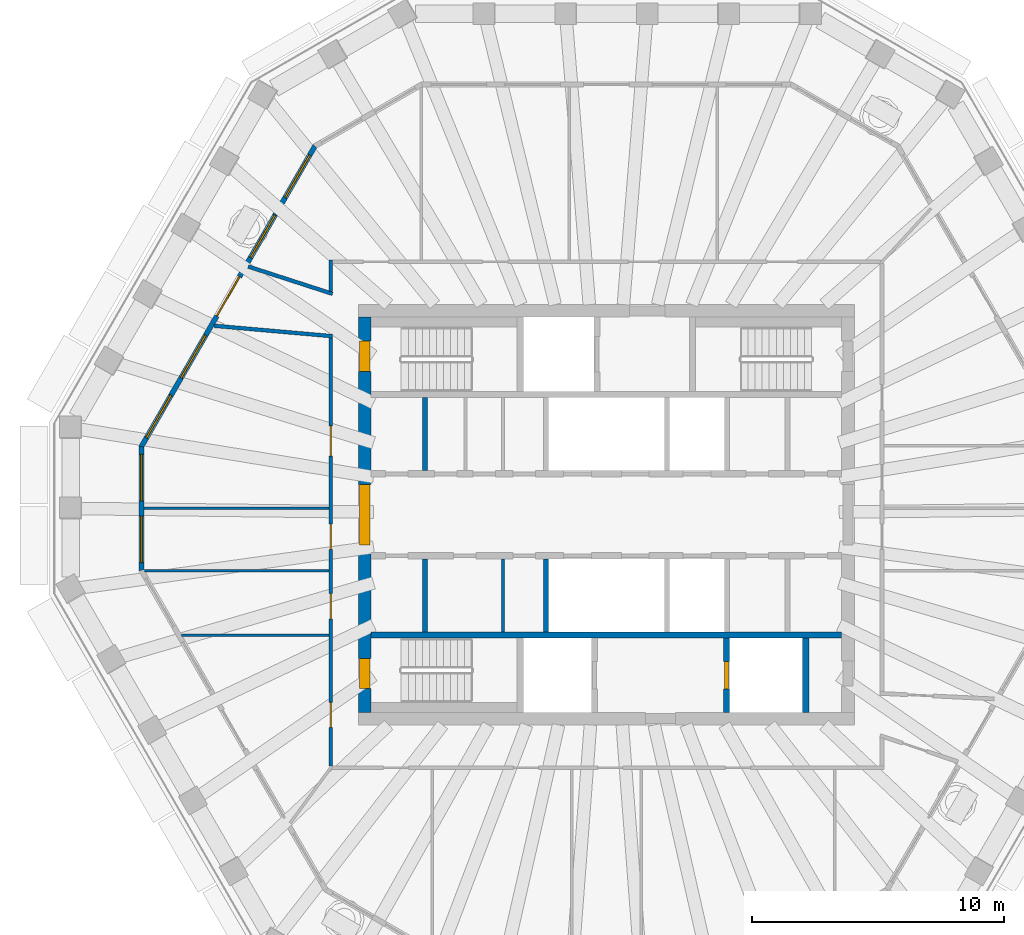
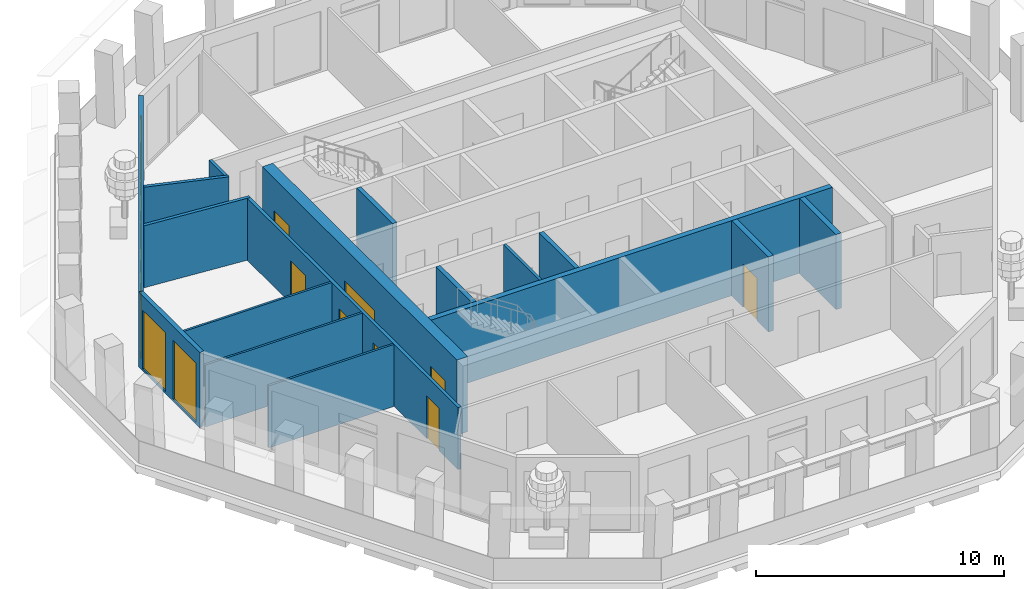
# One storey, part 4 of 11: 17 walls, 9 doors, 7 windows, 16 openings.
"""IFC4 building model written with IfcOpenShell, lengths in metres."""

import ifcopenshell
import ifcopenshell.guid

model = None  # the IFC model being written
_history = None  # IfcOwnerHistory: only IFC2X3 demands one
_inside = {}  # id of a spatial element -> (the spatial element, [elements in it])
_under = {}  # id of a project, library or spatial element -> (it, [spatial elements below it])
_declared = {}  # id of a project -> (the project, [libraries it declares])
_typed = {}  # id of a type object -> (the type object, [elements of that type])
_made_of = {}  # id of a material, layer set ... -> (it, [elements and type objects made of it])


def new_model(schema):
    """Start an empty IFC model of exactly this schema.

    Asked for "IFC4X3", IfcOpenShell would pick the latest addendum, in which some entities
    have other attributes; the version numbers below select the first issue.
    IFC2X3 requires an IfcOwnerHistory on every rooted entity: one is made here for all.
    """
    global model, _history
    if schema == "IFC4X3":
        model = ifcopenshell.file(schema_version=(4, 3, 0, 0))
    else:
        model = ifcopenshell.file(schema=schema)
    _inside.clear()
    _under.clear()
    _declared.clear()
    _typed.clear()
    _made_of.clear()
    _history = None
    if model.schema == "IFC2X3":
        org = make("IfcOrganization", Name="unknown")
        user = make(
            "IfcPersonAndOrganization",
            ThePerson=make("IfcPerson", FamilyName="unknown"),
            TheOrganization=org,
        )
        app = make(
            "IfcApplication",
            ApplicationDeveloper=org,
            Version="unknown",
            ApplicationFullName="unknown",
            ApplicationIdentifier="unknown",
        )
        _history = make(
            "IfcOwnerHistory",
            OwningUser=user,
            OwningApplication=app,
            ChangeAction="ADDED",
            CreationDate=0,
        )
    return model


def make(cls, **values):
    """One entity of the class cls with the attributes given. An attribute that is None is left unset."""
    return model.create_entity(
        cls, **{name: value for name, value in values.items() if value is not None}
    )


def rooted(cls, **values):
    """An entity with a GlobalId (a new one), such as an element, a storey or a relation."""
    return make(cls, GlobalId=ifcopenshell.guid.new(), OwnerHistory=_history, **values)


def si_unit(unit_type, name, prefix=None):
    """IfcSIUnit, for example si_unit("LENGTHUNIT", "METRE", prefix="MILLI")."""
    return make("IfcSIUnit", UnitType=unit_type, Prefix=prefix, Name=name)


def assignment(units):
    """IfcUnitAssignment: the units of a project."""
    return None if units is None else make("IfcUnitAssignment", Units=units)


def point(xyz):
    """IfcCartesianPoint."""
    return None if xyz is None else make("IfcCartesianPoint", Coordinates=xyz)


def direction(xyz):
    """IfcDirection."""
    return None if xyz is None else make("IfcDirection", DirectionRatios=xyz)


def frame(location, z_axis=None, x_axis=None):
    """IfcAxis2Placement3D, a coordinate frame: its origin and axes. An axis left out is left unset."""
    return make(
        "IfcAxis2Placement3D",
        Location=point(location),
        Axis=direction(z_axis),
        RefDirection=direction(x_axis),
    )


def frame_2d(location, x_axis=None):
    """IfcAxis2Placement2D, a coordinate frame in the plane: its origin and x axis."""
    return make(
        "IfcAxis2Placement2D", Location=point(location), RefDirection=direction(x_axis)
    )


def origin():
    """The frame at (0, 0, 0) with its axes left unset."""
    return frame((0.0, 0.0, 0.0))


def place(relative_to, where):
    """IfcLocalPlacement: puts the frame where relative to a parent placement (None: the world)."""
    return make(
        "IfcLocalPlacement", PlacementRelTo=relative_to, RelativePlacement=where
    )


def context(
    kind, dimensions, precision=None, world=None, true_north=None, identifier=None
):
    """IfcGeometricRepresentationContext, for example the 3D "Model" context."""
    return make(
        "IfcGeometricRepresentationContext",
        ContextIdentifier=identifier,
        ContextType=kind,
        CoordinateSpaceDimension=dimensions,
        Precision=precision,
        WorldCoordinateSystem=world,
        TrueNorth=true_north,
    )


def subcontext(parent, identifier, kind, view, scale=None):
    """IfcGeometricRepresentationSubContext, for example "Body" below "Model"."""
    return make(
        "IfcGeometricRepresentationSubContext",
        ContextIdentifier=identifier,
        ContextType=kind,
        ParentContext=parent,
        TargetScale=scale,
        TargetView=view,
    )


def project(units=None, contexts=None):
    """IfcProject with its units and contexts."""
    return rooted(
        "IfcProject",
        Name="project",
        RepresentationContexts=contexts,
        UnitsInContext=assignment(units),
    )


def spatial(cls, under=None, at=None, **own):
    """A site, building, storey or space (cls), placed at a placement, below another one or the project."""
    s = rooted(cls, ObjectPlacement=at, **own)
    if under is not None:
        _under.setdefault(under.id(), (under, []))[1].append(s)
    return s


def polyline(points):
    """IfcPolyline through the points."""
    return make("IfcPolyline", Points=[point(p) for p in points])


def profile(cls, at=None, kind="AREA", **sizes):
    """A parametric profile (cls). Its sizes go by their IFC names, for example OverallWidth=200.0."""
    return make(cls, ProfileType=kind, Position=at, **sizes)


def rectangle(**sizes):
    """IfcRectangleProfileDef."""
    return profile("IfcRectangleProfileDef", **sizes)


def outline(outer, holes=None, kind="AREA"):
    """IfcArbitraryClosedProfileDef: a profile drawn as a closed curve; with holes, ...WithVoids."""
    if holes is None:
        return make("IfcArbitraryClosedProfileDef", ProfileType=kind, OuterCurve=outer)
    return make(
        "IfcArbitraryProfileDefWithVoids",
        ProfileType=kind,
        OuterCurve=outer,
        InnerCurves=holes,
    )


def extrude(swept, where, along, depth):
    """IfcExtrudedAreaSolid: the profile swept, set in the frame where, extruded along a direction by depth."""
    return make(
        "IfcExtrudedAreaSolid",
        SweptArea=swept,
        Position=where,
        ExtrudedDirection=direction(along),
        Depth=depth,
    )


def shape(context_of_items, identifier, shape_type, items):
    """IfcShapeRepresentation: the items that make up one representation, for example the "Body"."""
    return make(
        "IfcShapeRepresentation",
        ContextOfItems=context_of_items,
        RepresentationIdentifier=identifier,
        RepresentationType=shape_type,
        Items=items,
    )


def material(Name=None, Category=None):
    """IfcMaterial."""
    return make("IfcMaterial", Name=Name, Category=Category)


def layer(
    of_material, thickness, ventilated=None, Name=None, Category=None, Priority=None
):
    """IfcMaterialLayer: one layer of a wall or slab, of a material (None: an air gap)."""
    return make(
        "IfcMaterialLayer",
        Material=of_material,
        LayerThickness=thickness,
        IsVentilated=ventilated,
        Name=Name,
        Category=Category,
        Priority=Priority,
    )


def layer_set(layers, Name=None):
    """IfcMaterialLayerSet."""
    return make("IfcMaterialLayerSet", MaterialLayers=layers, LayerSetName=Name)


def made_of(thing, what):
    """Note that an element or type object is made of a material, layer set ...; save() writes the relation."""
    if what is not None:
        _made_of.setdefault(what.id(), (what, []))[1].append(thing)
    return thing


def type_object(cls, material=None, **own):
    """A type object (cls), such as IfcWallType, which elements share."""
    return made_of(rooted(cls, **own), material)


def element(
    cls,
    number,
    at=None,
    inside=None,
    cuts=None,
    type_object=None,
    material=None,
    context=None,
    identifier="Body",
    shape_type=None,
    held_by="IfcProductDefinitionShape",
    body=None,
    shapes=None,
    **own,
):
    """One element of the class cls, such as IfcWall. Its Tag is "e" and its number.

    at: its placement. inside: the storey or other place that contains it. cuts: it is an
    opening in that element (IfcRelVoidsElement). A single representation is given by context,
    identifier, shape_type and body (its items); several are given by shapes. held_by: the class
    of the entity that holds the representations. save() writes the other relations.
    """
    e = rooted(cls, Tag="e%d" % number, ObjectPlacement=at, **own)
    if body is not None:
        shapes = [shape(context, identifier, shape_type, body)]
    if shapes is not None:
        e.Representation = make(held_by, Representations=shapes)
    if inside is not None:
        _inside.setdefault(inside.id(), (inside, []))[1].append(e)
    if cuts is not None:
        rooted(
            "IfcRelVoidsElement", RelatingBuildingElement=cuts, RelatedOpeningElement=e
        )
    if type_object is not None:
        _typed.setdefault(type_object.id(), (type_object, []))[1].append(e)
    return made_of(e, material)


def fill(opening, filler):
    """IfcRelFillsElement: the door or window that sits in an opening."""
    return rooted(
        "IfcRelFillsElement",
        RelatingOpeningElement=opening,
        RelatedBuildingElement=filler,
    )


def aggregate(whole, parts):
    """IfcRelAggregates: a whole, such as a stair, and the parts it consists of."""
    return rooted("IfcRelAggregates", RelatingObject=whole, RelatedObjects=parts)


def save(model, path):
    """Write the relations noted so far, then the file.

    IfcRelAggregates (storeys below a building ...), IfcRelContainedInSpatialStructure (elements
    in a storey), IfcRelDefinesByType, IfcRelAssociatesMaterial and IfcRelDeclares: one each for
    every whole, place, type object, material and project.
    """
    for whole, parts in _under.values():
        aggregate(whole, parts)
    for where, things in _inside.values():
        rooted(
            "IfcRelContainedInSpatialStructure",
            RelatedElements=things,
            RelatingStructure=where,
        )
    for kind, things in _typed.values():
        rooted("IfcRelDefinesByType", RelatedObjects=things, RelatingType=kind)
    for what, things in _made_of.values():
        rooted("IfcRelAssociatesMaterial", RelatedObjects=things, RelatingMaterial=what)
    for by, libraries in _declared.values():
        rooted("IfcRelDeclares", RelatingContext=by, RelatedDefinitions=libraries)
    model.write(path)


model = new_model("IFC4")

# Units and contexts
model_context = context("Model", 3, precision=1e-05, world=origin(), true_north=direction((0.0, 1.0)))
body_context = subcontext(model_context, "Body", "Model", "MODEL_VIEW")
ifc_project = project(units=[si_unit("LENGTHUNIT", "METRE"), si_unit("AREAUNIT", "SQUARE_METRE"), si_unit("VOLUMEUNIT", "CUBIC_METRE"), si_unit("PLANEANGLEUNIT", "RADIAN"), si_unit("MASSUNIT", "GRAM", prefix="KILO")], contexts=[model_context])

# Site, building, storey
site_placement = place(None, origin())
site = spatial("IfcSite", under=ifc_project, at=site_placement, CompositionType="ELEMENT")
building_placement = place(site_placement, origin())
building = spatial("IfcBuilding", under=site, at=building_placement, Name="Frailejon Research Tower", CompositionType="ELEMENT")
storey_placement = place(building_placement, frame((0.0, 0.0, 316.60009765625)))
storey = spatial("IfcBuildingStorey", under=building, at=storey_placement, Name="L70", CompositionType="ELEMENT", Elevation=316.60009765625)

# Wall
ifc_material_1 = material(Name="Plasterboard on steel studs", Category="steel")
ifc_layer_1 = layer(ifc_material_1, 0.125)
ifc_layer_set_1 = layer_set([ifc_layer_1], Name="Core partition 125")
wall_type_1 = type_object("IfcWallType", Name="Core partition 125", PredefinedType="PARTITIONING", material=ifc_layer_set_1)
wall_1_placement = place(storey_placement, frame((-4.10009765625, -4.64990234375, 0.0), z_axis=(0.0, 0.0, 1.0), x_axis=(0.0, 1.0, 0.0)))
element("IfcWall", 1, at=wall_1_placement, inside=storey, type_object=wall_type_1, Name="Core partition", PredefinedType="PARTITIONING", context=body_context, shape_type="SweptSolid", body=[
    extrude(rectangle(XDim=2.89990234375, YDim=0.125, at=frame_2d((1.449951171875, 0.0))), origin(), (0.0, 0.0, 1.0), 3.699951171875),
])

# Wall, openings, doors
ifc_material_2 = material(Name="Concrete C50/60", Category="concrete")
ifc_layer_2 = layer(ifc_material_2, 0.5)
ifc_layer_set_2 = layer_set([ifc_layer_2], Name="Core shear wall 500 C50/60")
wall_type_2 = type_object("IfcWallType", Name="Core shear wall 500 C50/60", PredefinedType="SHEAR", material=ifc_layer_set_2)
wall_2_placement = place(storey_placement, frame((-9.60009765625, -7.85009765625, 0.0), z_axis=(0.0, 0.0, 1.0), x_axis=(0.0, 1.0, 0.0)))
wall_2 = element("IfcWall", 2, at=wall_2_placement, inside=storey, type_object=wall_type_2, Name="Core shear wall", PredefinedType="SHEAR", context=body_context, shape_type="SweptSolid", body=[
    extrude(rectangle(XDim=15.7001953125, YDim=0.5, at=frame_2d((7.85009765625, 0.0))), origin(), (0.0, 0.0, 1.0), 3.699951171875),
])
opening_1_placement = place(wall_2_placement, frame((6.64990234375, 0.0, 0.0)))
opening_1 = element("IfcOpeningElement", 3, at=opening_1_placement, cuts=wall_2, Name="Opening D2", PredefinedType="OPENING", context=body_context, shape_type="SweptSolid", body=[
    extrude(rectangle(XDim=2.39990234375, YDim=2.10009765625, at=frame_2d((1.199951171875, 1.050048828125))), frame((0.0, 0.260009765625, 0.0), z_axis=(0.0, -1.0, 0.0), x_axis=(1.0, 0.0, 0.0)), (0.0, 0.0, 1.0), 0.52001953125),
])
opening_2_placement = place(wall_2_placement, frame((13.550048828125, 0.0, 0.0)))
opening_2 = element("IfcOpeningElement", 4, at=opening_2_placement, cuts=wall_2, Name="Opening D1", PredefinedType="OPENING", context=body_context, shape_type="SweptSolid", body=[
    extrude(rectangle(XDim=1.199951171875, YDim=2.10009765625, at=frame_2d((0.60009765625, 1.050048828125))), frame((0.0, 0.260009765625, 0.0), z_axis=(0.0, -1.0, 0.0), x_axis=(1.0, 0.0, 0.0)), (0.0, 0.0, 1.0), 0.52001953125),
])
opening_3_placement = place(wall_2_placement, frame((0.949951171875, 0.0, 0.0)))
opening_3 = element("IfcOpeningElement", 5, at=opening_3_placement, cuts=wall_2, Name="Opening D1", PredefinedType="OPENING", context=body_context, shape_type="SweptSolid", body=[
    extrude(rectangle(XDim=1.199951171875, YDim=2.10009765625, at=frame_2d((0.60009765625, 1.050048828125))), frame((0.0, 0.260009765625, 0.0), z_axis=(0.0, -1.0, 0.0), x_axis=(1.0, 0.0, 0.0)), (0.0, 0.0, 1.0), 0.52001953125),
])
ifc_material_3 = material(Name="Steel", Category="steel")
door_type_1 = type_object("IfcDoorType", Name="Lobby double door", OperationType="DOUBLE_DOOR_SINGLE_SWING", PredefinedType="DOOR", material=ifc_material_3)
door_1_placement = place(opening_1_placement, origin())
door_1 = element("IfcDoor", 6, at=door_1_placement, inside=storey, type_object=door_type_1, Name="Lobby door", OperationType="DOUBLE_DOOR_SINGLE_SWING", OverallHeight=2.10009765625, OverallWidth=2.39990234375, PredefinedType="DOOR", context=body_context, shape_type="SweptSolid", body=[
    extrude(rectangle(XDim=2.39990234375, YDim=2.10009765625, at=frame_2d((1.199951171875, 1.050048828125))), frame((0.0, 0.199951171875, 0.0), z_axis=(0.0, -1.0, 0.0), x_axis=(1.0, 0.0, 0.0)), (0.0, 0.0, 1.0), 0.39990234375),
])
fill(opening_1, door_1)
ifc_material_4 = material(Name="Steel", Category="steel")
door_type_2 = type_object("IfcDoorType", Name="Stair door", OperationType="SINGLE_SWING_LEFT", PredefinedType="DOOR", material=ifc_material_4)
door_2_placement = place(opening_2_placement, origin())
door_2 = element("IfcDoor", 7, at=door_2_placement, inside=storey, type_object=door_type_2, Name="Stair door ST1", OperationType="SINGLE_SWING_LEFT", OverallHeight=2.10009765625, OverallWidth=1.199951171875, PredefinedType="DOOR", context=body_context, shape_type="SweptSolid", body=[
    extrude(rectangle(XDim=1.199951171875, YDim=2.10009765625, at=frame_2d((0.60009765625, 1.050048828125))), frame((0.0, 0.199951171875, 0.0), z_axis=(0.0, -1.0, 0.0), x_axis=(1.0, 0.0, 0.0)), (0.0, 0.0, 1.0), 0.39990234375),
])
fill(opening_2, door_2)
door_3_placement = place(opening_3_placement, origin())
door_3 = element("IfcDoor", 8, at=door_3_placement, inside=storey, type_object=door_type_2, Name="Stair door ST2", OperationType="SINGLE_SWING_RIGHT", OverallHeight=2.10009765625, OverallWidth=1.199951171875, PredefinedType="DOOR", context=body_context, shape_type="SweptSolid", body=[
    extrude(rectangle(XDim=1.199951171875, YDim=2.10009765625, at=frame_2d((0.60009765625, 1.050048828125))), frame((0.0, 0.199951171875, 0.0), z_axis=(0.0, -1.0, 0.0), x_axis=(1.0, 0.0, 0.0)), (0.0, 0.0, 1.0), 0.39990234375),
])
fill(opening_3, door_3)

ifc_material_5 = material(Name="Gypsum board and masonry partition", Category="masonry")
ifc_layer_3 = layer(ifc_material_5, 0.14990234375)
ifc_layer_set_3 = layer_set([ifc_layer_3], Name="Corridor wall EI 60, gypsum on steel studs 150")
wall_type_3 = type_object("IfcWallType", Name="Corridor wall EI 60, gypsum on steel studs 150", PredefinedType="PARTITIONING", material=ifc_layer_set_3)
wall_3_placement = place(storey_placement, frame((-10.949951171875, -9.97509765625, 0.0), z_axis=(0.0, 0.0, 1.0), x_axis=(0.0, 1.0, 0.0)))
wall_3 = element("IfcWall", 9, at=wall_3_placement, inside=storey, type_object=wall_type_3, Name="T:IW:L70:004", PredefinedType="PARTITIONING", context=body_context, shape_type="SweptSolid", body=[
    extrude(rectangle(XDim=17.0, YDim=0.14990234375, at=frame_2d((8.5, 0.0))), origin(), (0.0, 0.0, 1.0), 3.0498046875),
])
opening_4_placement = place(wall_3_placement, frame((12.308349609375, 0.0, 0.0)))
opening_4 = element("IfcOpeningElement", 10, at=opening_4_placement, cuts=wall_3, Name="Opening D2321", PredefinedType="OPENING", context=body_context, shape_type="SweptSolid", body=[
    extrude(rectangle(XDim=1.199951171875, YDim=2.10009765625, at=frame_2d((0.60009765625, 1.050048828125))), frame((0.0, 0.0849609375, 0.0), z_axis=(0.0, -1.0, 0.0), x_axis=(1.0, 0.0, 0.0)), (0.0, 0.0, 1.0), 0.169921875),
])
opening_5_placement = place(wall_3_placement, frame((8.6025390625, 0.0, 0.0)))
opening_5 = element("IfcOpeningElement", 11, at=opening_5_placement, cuts=wall_3, Name="Opening D2322", PredefinedType="OPENING", context=body_context, shape_type="SweptSolid", body=[
    extrude(rectangle(XDim=1.0, YDim=2.10009765625, at=frame_2d((0.5, 1.050048828125))), frame((0.0, 0.0849609375, 0.0), z_axis=(0.0, -1.0, 0.0), x_axis=(1.0, 0.0, 0.0)), (0.0, 0.0, 1.0), 0.169921875),
])
opening_6_placement = place(wall_3_placement, frame((5.843017578125, 0.0, 0.0)))
opening_6 = element("IfcOpeningElement", 12, at=opening_6_placement, cuts=wall_3, Name="Opening D2323", PredefinedType="OPENING", context=body_context, shape_type="SweptSolid", body=[
    extrude(rectangle(XDim=1.0, YDim=2.10009765625, at=frame_2d((0.5, 1.050048828125))), frame((0.0, 0.0849609375, 0.0), z_axis=(0.0, -1.0, 0.0), x_axis=(1.0, 0.0, 0.0)), (0.0, 0.0, 1.0), 0.169921875),
])
opening_7_placement = place(wall_3_placement, frame((1.52490234375, 0.0, 0.0)))
opening_7 = element("IfcOpeningElement", 13, at=opening_7_placement, cuts=wall_3, Name="Opening D2324", PredefinedType="OPENING", context=body_context, shape_type="SweptSolid", body=[
    extrude(rectangle(XDim=1.0, YDim=2.10009765625, at=frame_2d((0.5, 1.050048828125))), frame((0.0, 0.0849609375, 0.0), z_axis=(0.0, -1.0, 0.0), x_axis=(1.0, 0.0, 0.0)), (0.0, 0.0, 1.0), 0.169921875),
])
ifc_material_6 = material(Name="Timber door leaf", Category="wood")
door_type_3 = type_object("IfcDoorType", Name="Door single leaf, timber, steel frame 1000", OperationType="NOTDEFINED", PredefinedType="DOOR", material=ifc_material_6)
door_4_placement = place(opening_5_placement, origin())
door_4 = element("IfcDoor", 14, at=door_4_placement, inside=storey, type_object=door_type_3, Name="D2322", OperationType="SINGLE_SWING_RIGHT", OverallHeight=2.10009765625, OverallWidth=1.0, PredefinedType="DOOR", context=body_context, shape_type="SweptSolid", body=[
    extrude(rectangle(XDim=1.0, YDim=2.10009765625, at=frame_2d((0.5, 1.050048828125))), frame((0.0, 0.02490234375, 0.0), z_axis=(0.0, -1.0, 0.0), x_axis=(1.0, 0.0, 0.0)), (0.0, 0.0, 1.0), 0.050048828125),
])
fill(opening_5, door_4)
door_5_placement = place(opening_6_placement, origin())
door_5 = element("IfcDoor", 15, at=door_5_placement, inside=storey, type_object=door_type_3, Name="D2323", OperationType="SINGLE_SWING_RIGHT", OverallHeight=2.10009765625, OverallWidth=1.0, PredefinedType="DOOR", context=body_context, shape_type="SweptSolid", body=[
    extrude(rectangle(XDim=1.0, YDim=2.10009765625, at=frame_2d((0.5, 1.050048828125))), frame((0.0, 0.02490234375, 0.0), z_axis=(0.0, -1.0, 0.0), x_axis=(1.0, 0.0, 0.0)), (0.0, 0.0, 1.0), 0.050048828125),
])
fill(opening_6, door_5)
door_6_placement = place(opening_7_placement, origin())
door_6 = element("IfcDoor", 16, at=door_6_placement, inside=storey, type_object=door_type_3, Name="D2324", OperationType="SINGLE_SWING_RIGHT", OverallHeight=2.10009765625, OverallWidth=1.0, PredefinedType="DOOR", context=body_context, shape_type="SweptSolid", body=[
    extrude(rectangle(XDim=1.0, YDim=2.10009765625, at=frame_2d((0.5, 1.050048828125))), frame((0.0, 0.02490234375, 0.0), z_axis=(0.0, -1.0, 0.0), x_axis=(1.0, 0.0, 0.0)), (0.0, 0.0, 1.0), 0.050048828125),
])
fill(opening_7, door_6)
ifc_material_7 = material(Name="Timber door leaf", Category="wood")
door_type_4 = type_object("IfcDoorType", Name="Door single leaf, timber, steel frame 1200", OperationType="NOTDEFINED", PredefinedType="DOOR", material=ifc_material_7)
door_7_placement = place(opening_4_placement, origin())
door_7 = element("IfcDoor", 17, at=door_7_placement, inside=storey, type_object=door_type_4, Name="D2321", OperationType="DOUBLE_DOOR_SINGLE_SWING", OverallHeight=2.10009765625, OverallWidth=1.199951171875, PredefinedType="DOOR", context=body_context, shape_type="SweptSolid", body=[
    extrude(rectangle(XDim=1.199951171875, YDim=2.10009765625, at=frame_2d((0.60009765625, 1.050048828125))), frame((0.0, 0.02490234375, 0.0), z_axis=(0.0, -1.0, 0.0), x_axis=(1.0, 0.0, 0.0)), (0.0, 0.0, 1.0), 0.050048828125),
])
fill(opening_4, door_7)

# Walls
wall_4_placement = place(storey_placement, frame((-10.949951171875, 8.875, 0.0), z_axis=(0.0, 0.0, 1.0), x_axis=(0.0, 1.0, 0.0)))
element("IfcWall", 18, at=wall_4_placement, inside=storey, type_object=wall_type_3, Name="T:IW:L70:005", PredefinedType="PARTITIONING", context=body_context, shape_type="SweptSolid", body=[
    extrude(rectangle(XDim=1.25, YDim=0.14990234375, at=frame_2d((0.625, 0.0))), origin(), (0.0, 0.0, 1.0), 3.0498046875),
])
wall_5_placement = place(storey_placement, frame((-14.226806640625, 9.861083984375, 0.0), z_axis=(0.0, 0.0, 1.0), x_axis=(0.951360824749, -0.308078855382, 0.0)))
element("IfcWall", 19, at=wall_5_placement, inside=storey, type_object=wall_type_3, Name="T:IW:L70:007", PredefinedType="PARTITIONING", context=body_context, shape_type="SweptSolid", body=[
    extrude(rectangle(XDim=3.519287109375, YDim=0.14990234375, at=frame_2d((1.759765625, 0.0))), origin(), (0.0, 0.0, 1.0), 3.0498046875),
])
wall_6_placement = place(storey_placement, frame((-15.58544921875, 7.508056640625, 0.0), z_axis=(0.0, 0.0, 1.0), x_axis=(0.996149370473, -0.087672297261, 0.0)))
element("IfcWall", 20, at=wall_6_placement, inside=storey, type_object=wall_type_3, Name="T:IW:L70:008", PredefinedType="PARTITIONING", context=body_context, shape_type="SweptSolid", body=[
    extrude(rectangle(XDim=4.728515625, YDim=0.14990234375, at=frame_2d((2.3642578125, 0.0))), origin(), (0.0, 0.0, 1.0), 3.0498046875),
])
ifc_material_8 = material(Name="Gypsum board and masonry partition", Category="masonry")
ifc_layer_4 = layer(ifc_material_8, 0.10009765625)
ifc_layer_set_4 = layer_set([ifc_layer_4], Name="Partition, gypsum on steel studs 100")
wall_type_4 = type_object("IfcWallType", Name="Partition, gypsum on steel studs 100", PredefinedType="PARTITIONING", material=ifc_layer_set_4)
wall_7_placement = place(storey_placement, frame((-18.372802734375, 0.25146484375, 0.0), z_axis=(0.0, 0.0, 1.0), x_axis=(1.0, 0.0, 0.0)))
element("IfcWall", 21, at=wall_7_placement, inside=storey, type_object=wall_type_4, Name="T:IW:L70:012", PredefinedType="PARTITIONING", context=body_context, shape_type="SweptSolid", body=[
    extrude(rectangle(XDim=7.347900390625, YDim=0.10009765625, at=frame_2d((3.673828125, 0.0))), origin(), (0.0, 0.0, 1.0), 3.0498046875),
])
wall_8_placement = place(storey_placement, frame((-18.341796875, -2.231201171875, 0.0), z_axis=(0.0, 0.0, 1.0), x_axis=(1.0, 0.0, 0.0)))
element("IfcWall", 22, at=wall_8_placement, inside=storey, type_object=wall_type_4, Name="T:IW:L70:018", PredefinedType="PARTITIONING", context=body_context, shape_type="SweptSolid", body=[
    extrude(rectangle(XDim=7.31689453125, YDim=0.10009765625, at=frame_2d((3.658447265625, 0.0))), origin(), (0.0, 0.0, 1.0), 3.0498046875),
])
wall_9_placement = place(storey_placement, frame((-16.870849609375, -4.77880859375, 0.0), z_axis=(0.0, 0.0, 1.0), x_axis=(1.0, 0.0, 0.0)))
element("IfcWall", 23, at=wall_9_placement, inside=storey, type_object=wall_type_4, Name="T:IW:L70:020", PredefinedType="PARTITIONING", context=body_context, shape_type="SweptSolid", body=[
    extrude(rectangle(XDim=5.845947265625, YDim=0.10009765625, at=frame_2d((2.9228515625, 0.0))), origin(), (0.0, 0.0, 1.0), 3.0498046875),
])
ifc_material_9 = material(Name="Concrete C50/60", Category="concrete")
ifc_layer_5 = layer(ifc_material_9, 0.199951171875)
ifc_layer_set_5 = layer_set([ifc_layer_5], Name="Shaft wall 200 C50/60")
wall_type_5 = type_object("IfcWallType", Name="Shaft wall 200 C50/60", PredefinedType="SOLIDWALL", material=ifc_layer_set_5)
for number, where, z_axis, x_axis, name in (
    (24, (-7.199951171875, 1.75, 0.0), (0.0, 0.0, 1.0), (0.0, 1.0, 0.0), "Shaft wall"),
    (25, (-7.199951171875, -4.64990234375, 0.0), (0.0, 0.0, 1.0), (0.0, 1.0, 0.0), "Shaft wall"),
    (26, (-2.39990234375, -4.64990234375, 0.0), (0.0, 0.0, 1.0), (0.0, 1.0, 0.0), "Shaft wall"),
):
    element("IfcWall", number, at=place(storey_placement, frame(where, z_axis=z_axis, x_axis=x_axis)), inside=storey, type_object=wall_type_5, Name=name, PredefinedType="SOLIDWALL", context=body_context, shape_type="SweptSolid", body=[
        extrude(rectangle(XDim=2.89990234375, YDim=0.199951171875, at=frame_2d((1.449951171875, 0.0))), origin(), (0.0, 0.0, 1.0), 3.699951171875),
    ])
ifc_material_10 = material(Name="Concrete C50/60", Category="concrete")
ifc_layer_6 = layer(ifc_material_10, 0.25)
ifc_layer_set_6 = layer_set([ifc_layer_6], Name="Shaft wall 250 C50/60")
wall_type_6 = type_object("IfcWallType", Name="Shaft wall 250 C50/60", PredefinedType="SOLIDWALL", material=ifc_layer_set_6)
wall_10_placement = place(storey_placement, frame((-9.35009765625, -4.77490234375, 0.0), z_axis=(0.0, 0.0, 1.0), x_axis=(1.0, 0.0, 0.0)))
element("IfcWall", 27, at=wall_10_placement, inside=storey, type_object=wall_type_6, Name="Shaft wall", PredefinedType="SOLIDWALL", context=body_context, shape_type="SweptSolid", body=[
    extrude(rectangle(XDim=18.7001953125, YDim=0.25, at=frame_2d((9.35009765625, 0.0))), origin(), (0.0, 0.0, 1.0), 3.699951171875),
])

# Wall, opening, door
wall_11_placement = place(storey_placement, frame((4.77490234375, -7.85009765625, 0.0), z_axis=(0.0, 0.0, 1.0), x_axis=(0.0, 1.0, 0.0)))
wall_11 = element("IfcWall", 28, at=wall_11_placement, inside=storey, type_object=wall_type_6, Name="Shaft wall", PredefinedType="SOLIDWALL", context=body_context, shape_type="SweptSolid", body=[
    extrude(rectangle(XDim=2.9501953125, YDim=0.25, at=frame_2d((1.47509765625, 0.0))), origin(), (0.0, 0.0, 1.0), 3.699951171875),
])
opening_8_placement = place(wall_11_placement, frame((0.925048828125, 0.0, 0.0)))
opening_8 = element("IfcOpeningElement", 29, at=opening_8_placement, cuts=wall_11, Name="Opening LD", PredefinedType="OPENING", context=body_context, shape_type="SweptSolid", body=[
    extrude(rectangle(XDim=1.10009765625, YDim=2.10009765625, at=frame_2d((0.550048828125, 1.050048828125))), frame((0.0, 0.135009765625, 0.0), z_axis=(0.0, -1.0, 0.0), x_axis=(1.0, 0.0, 0.0)), (0.0, 0.0, 1.0), 0.27001953125),
])
ifc_material_11 = material(Name="Steel", Category="steel")
door_type_5 = type_object("IfcDoorType", Name="Lift landing door", OperationType="DOUBLE_DOOR_SLIDING", PredefinedType="DOOR", material=ifc_material_11)
door_8_placement = place(opening_8_placement, origin())
door_8 = element("IfcDoor", 30, at=door_8_placement, inside=storey, type_object=door_type_5, Name="Lift landing door", OperationType="DOUBLE_DOOR_SLIDING", OverallHeight=2.10009765625, OverallWidth=1.10009765625, PredefinedType="DOOR", context=body_context, shape_type="SweptSolid", body=[
    extrude(rectangle(XDim=1.10009765625, YDim=2.10009765625, at=frame_2d((0.550048828125, 1.050048828125))), frame((0.0, 0.074951171875, 0.0), z_axis=(0.0, -1.0, 0.0), x_axis=(1.0, 0.0, 0.0)), (0.0, 0.0, 1.0), 0.14990234375),
])
fill(opening_8, door_8)

# Wall
wall_12_placement = place(storey_placement, frame((7.925048828125, -7.85009765625, 0.0), z_axis=(0.0, 0.0, 1.0), x_axis=(0.0, 1.0, 0.0)))
element("IfcWall", 31, at=wall_12_placement, inside=storey, type_object=wall_type_6, Name="Shaft wall", PredefinedType="SOLIDWALL", context=body_context, shape_type="SweptSolid", body=[
    extrude(rectangle(XDim=2.9501953125, YDim=0.25, at=frame_2d((1.47509765625, 0.0))), origin(), (0.0, 0.0, 1.0), 3.699951171875),
])

# Wall, openings, door, windows
ifc_material_12 = material(Name="Concrete C40/50 precast window wall panel", Category="concrete")
ifc_layer_7 = layer(ifc_material_12, 0.199951171875)
ifc_layer_set_7 = layer_set([ifc_layer_7], Name="Window wall 200")
wall_type_7 = type_object("IfcWallType", Name="Window wall 200", PredefinedType="SOLIDWALL", material=ifc_layer_set_7)
wall_13_placement = place(storey_placement, frame((-11.580810546875, 14.644287109375, 0.0), z_axis=(0.0, 0.0, 1.0), x_axis=(-0.500000477412, -0.866025128151, 0.0)))
wall_13 = element("IfcWall", 32, at=wall_13_placement, inside=storey, type_object=wall_type_7, Name="Exterior wall L70", PredefinedType="SOLIDWALL", context=body_context, shape_type="SweptSolid", body=[
    extrude(outline(polyline([(-0.02685546875, -0.10009765625), (1.03759765625, -0.10009765625), (2.10205078125, -0.10009765625), (3.16650390625, -0.10009765625), (4.230712890625, -0.10009765625), (5.295166015625, -0.10009765625), (6.359619140625, -0.10009765625), (7.424072265625, -0.10009765625), (8.488525390625, -0.10009765625), (9.552978515625, -0.10009765625), (10.6171875, -0.10009765625), (11.681640625, -0.10009765625), (12.74609375, -0.10009765625), (13.810546875, -0.10009765625), (13.7568359375, 0.10009765625), (12.70068359375, 0.10009765625), (11.64453125, 0.10009765625), (10.58837890625, 0.10009765625), (9.5322265625, 0.10009765625), (8.47607421875, 0.10009765625), (7.419921875, 0.10009765625), (6.36376953125, 0.10009765625), (5.3076171875, 0.10009765625), (4.25146484375, 0.10009765625), (3.1953125, 0.10009765625), (2.13916015625, 0.10009765625), (1.0830078125, 0.10009765625), (0.02685546875, 0.10009765625), (-0.02685546875, -0.10009765625)])), origin(), (0.0, 0.0, 1.0), 3.699951171875),
])
opening_9_placement = place(wall_13_placement, frame((0.4033203125, 0.0, 0.10009765625)))
opening_9 = element("IfcOpeningElement", 33, at=opening_9_placement, cuts=wall_13, Name="Opening W27", PredefinedType="OPENING", context=body_context, shape_type="SweptSolid", body=[
    extrude(rectangle(XDim=1.949951171875, YDim=2.89990234375, at=frame_2d((0.97509765625, 1.449951171875))), frame((0.0, 0.10986328125, 0.0), z_axis=(0.0, -1.0, 0.0), x_axis=(1.0, 0.0, 0.0)), (0.0, 0.0, 1.0), 0.219970703125),
])
opening_10_placement = place(wall_13_placement, frame((3.16015625, 0.0, 0.10009765625)))
opening_10 = element("IfcOpeningElement", 34, at=opening_10_placement, cuts=wall_13, Name="Opening W27", PredefinedType="OPENING", context=body_context, shape_type="SweptSolid", body=[
    extrude(rectangle(XDim=1.949951171875, YDim=2.89990234375, at=frame_2d((0.97509765625, 1.449951171875))), frame((0.0, 0.10986328125, 0.0), z_axis=(0.0, -1.0, 0.0), x_axis=(1.0, 0.0, 0.0)), (0.0, 0.0, 1.0), 0.219970703125),
])
opening_11_placement = place(wall_13_placement, frame((5.99169921875, 0.0, 0.0)))
opening_11 = element("IfcOpeningElement", 35, at=opening_11_placement, cuts=wall_13, Name="Opening LG70-3", PredefinedType="OPENING", context=body_context, shape_type="SweptSolid", body=[
    extrude(rectangle(XDim=1.800048828125, YDim=2.39990234375, at=frame_2d((0.89990234375, 1.199951171875))), frame((0.0, 0.10986328125, 0.0), z_axis=(0.0, -1.0, 0.0), x_axis=(1.0, 0.0, 0.0)), (0.0, 0.0, 1.0), 0.219970703125),
])
opening_12_placement = place(wall_13_placement, frame((5.99169921875, 0.0, 2.550048828125)))
opening_12 = element("IfcOpeningElement", 36, at=opening_12_placement, cuts=wall_13, Name="Opening W1", PredefinedType="OPENING", context=body_context, shape_type="SweptSolid", body=[
    extrude(rectangle(XDim=1.800048828125, YDim=0.449951171875, at=frame_2d((0.89990234375, 0.22509765625))), frame((0.0, 0.10986328125, 0.0), z_axis=(0.0, -1.0, 0.0), x_axis=(1.0, 0.0, 0.0)), (0.0, 0.0, 1.0), 0.219970703125),
])
opening_13_placement = place(wall_13_placement, frame((8.673583984375, 0.0, 0.10009765625)))
opening_13 = element("IfcOpeningElement", 37, at=opening_13_placement, cuts=wall_13, Name="Opening W27", PredefinedType="OPENING", context=body_context, shape_type="SweptSolid", body=[
    extrude(rectangle(XDim=1.949951171875, YDim=2.89990234375, at=frame_2d((0.97509765625, 1.449951171875))), frame((0.0, 0.10986328125, 0.0), z_axis=(0.0, -1.0, 0.0), x_axis=(1.0, 0.0, 0.0)), (0.0, 0.0, 1.0), 0.219970703125),
])
opening_14_placement = place(wall_13_placement, frame((11.430419921875, 0.0, 0.10009765625)))
opening_14 = element("IfcOpeningElement", 38, at=opening_14_placement, cuts=wall_13, Name="Opening W27", PredefinedType="OPENING", context=body_context, shape_type="SweptSolid", body=[
    extrude(rectangle(XDim=1.949951171875, YDim=2.89990234375, at=frame_2d((0.97509765625, 1.449951171875))), frame((0.0, 0.10986328125, 0.0), z_axis=(0.0, -1.0, 0.0), x_axis=(1.0, 0.0, 0.0)), (0.0, 0.0, 1.0), 0.219970703125),
])
ifc_material_13 = material(Name="Aluminium framed glazed door leaf", Category="aluminium")
door_type_6 = type_object("IfcDoorType", Name="Loggia door 1800x2400", OperationType="DOUBLE_DOOR_SINGLE_SWING", PredefinedType="DOOR", material=ifc_material_13)
door_9_placement = place(opening_11_placement, origin())
door_9 = element("IfcDoor", 39, at=door_9_placement, inside=storey, type_object=door_type_6, Name="Door LG70-3", OperationType="DOUBLE_DOOR_SINGLE_SWING", OverallHeight=2.39990234375, OverallWidth=1.800048828125, PredefinedType="DOOR", context=body_context, shape_type="SweptSolid", body=[
    extrude(rectangle(XDim=1.800048828125, YDim=2.39990234375, at=frame_2d((0.89990234375, 1.199951171875))), frame((0.0, 0.02490234375, 0.0), z_axis=(0.0, -1.0, 0.0), x_axis=(1.0, 0.0, 0.0)), (0.0, 0.0, 1.0), 0.050048828125),
])
fill(opening_11, door_9)
ifc_material_14 = material(Name="Aluminium framed double glazing", Category="aluminium")
window_type_1 = type_object("IfcWindowType", Name="Window 1800x450", PartitioningType="SINGLE_PANEL", PredefinedType="WINDOW", material=ifc_material_14)
window_1_placement = place(opening_12_placement, origin())
window_1 = element("IfcWindow", 40, at=window_1_placement, inside=storey, type_object=window_type_1, Name="Window L70", OverallHeight=0.449951171875, OverallWidth=1.800048828125, PartitioningType="SINGLE_PANEL", PredefinedType="WINDOW", context=body_context, shape_type="SweptSolid", body=[
    extrude(rectangle(XDim=1.800048828125, YDim=0.449951171875, at=frame_2d((0.89990234375, 0.22509765625))), frame((0.0, 0.030029296875, 0.0), z_axis=(0.0, -1.0, 0.0), x_axis=(1.0, 0.0, 0.0)), (0.0, 0.0, 1.0), 0.06005859375),
])
fill(opening_12, window_1)
ifc_material_15 = material(Name="Aluminium framed double glazing", Category="aluminium")
window_type_2 = type_object("IfcWindowType", Name="Window 1950x2900", PartitioningType="SINGLE_PANEL", PredefinedType="WINDOW", material=ifc_material_15)
window_2_placement = place(opening_9_placement, origin())
window_2 = element("IfcWindow", 41, at=window_2_placement, inside=storey, type_object=window_type_2, Name="Window L70", OverallHeight=2.89990234375, OverallWidth=1.949951171875, PartitioningType="SINGLE_PANEL", PredefinedType="WINDOW", context=body_context, shape_type="SweptSolid", body=[
    extrude(rectangle(XDim=1.949951171875, YDim=2.89990234375, at=frame_2d((0.97509765625, 1.449951171875))), frame((0.0, 0.030029296875, 0.0), z_axis=(0.0, -1.0, 0.0), x_axis=(1.0, 0.0, 0.0)), (0.0, 0.0, 1.0), 0.06005859375),
])
fill(opening_9, window_2)
window_3_placement = place(opening_10_placement, origin())
window_3 = element("IfcWindow", 42, at=window_3_placement, inside=storey, type_object=window_type_2, Name="Window L70", OverallHeight=2.89990234375, OverallWidth=1.949951171875, PartitioningType="SINGLE_PANEL", PredefinedType="WINDOW", context=body_context, shape_type="SweptSolid", body=[
    extrude(rectangle(XDim=1.949951171875, YDim=2.89990234375, at=frame_2d((0.97509765625, 1.449951171875))), frame((0.0, 0.030029296875, 0.0), z_axis=(0.0, -1.0, 0.0), x_axis=(1.0, 0.0, 0.0)), (0.0, 0.0, 1.0), 0.06005859375),
])
fill(opening_10, window_3)
window_4_placement = place(opening_13_placement, origin())
window_4 = element("IfcWindow", 43, at=window_4_placement, inside=storey, type_object=window_type_2, Name="Window L70", OverallHeight=2.89990234375, OverallWidth=1.949951171875, PartitioningType="SINGLE_PANEL", PredefinedType="WINDOW", context=body_context, shape_type="SweptSolid", body=[
    extrude(rectangle(XDim=1.949951171875, YDim=2.89990234375, at=frame_2d((0.97509765625, 1.449951171875))), frame((0.0, 0.030029296875, 0.0), z_axis=(0.0, -1.0, 0.0), x_axis=(1.0, 0.0, 0.0)), (0.0, 0.0, 1.0), 0.06005859375),
])
fill(opening_13, window_4)
window_5_placement = place(opening_14_placement, origin())
window_5 = element("IfcWindow", 44, at=window_5_placement, inside=storey, type_object=window_type_2, Name="Window L70", OverallHeight=2.89990234375, OverallWidth=1.949951171875, PartitioningType="SINGLE_PANEL", PredefinedType="WINDOW", context=body_context, shape_type="SweptSolid", body=[
    extrude(rectangle(XDim=1.949951171875, YDim=2.89990234375, at=frame_2d((0.97509765625, 1.449951171875))), frame((0.0, 0.030029296875, 0.0), z_axis=(0.0, -1.0, 0.0), x_axis=(1.0, 0.0, 0.0)), (0.0, 0.0, 1.0), 0.06005859375),
])
fill(opening_14, window_5)

# Wall, openings, windows
wall_14_placement = place(storey_placement, frame((-18.47265625, 2.707275390625, 0.0), z_axis=(0.0, 0.0, 1.0), x_axis=(0.0, -1.0, 0.0)))
wall_14 = element("IfcWall", 45, at=wall_14_placement, inside=storey, type_object=wall_type_7, Name="Exterior wall L70", PredefinedType="SOLIDWALL", context=body_context, shape_type="SweptSolid", body=[
    extrude(outline(polyline([(-0.02685546875, -0.10009765625), (1.21435546875, -0.10009765625), (2.455810546875, -0.10009765625), (3.697265625, -0.10009765625), (4.9384765625, -0.10009765625), (4.884765625, 0.10009765625), (3.67041015625, 0.10009765625), (2.455810546875, 0.10009765625), (1.2412109375, 0.10009765625), (0.02685546875, 0.10009765625), (-0.02685546875, -0.10009765625)])), origin(), (0.0, 0.0, 1.0), 3.699951171875),
])
opening_15_placement = place(wall_14_placement, frame((0.302978515625, 0.0, 0.10009765625)))
opening_15 = element("IfcOpeningElement", 46, at=opening_15_placement, cuts=wall_14, Name="Opening W26", PredefinedType="OPENING", context=body_context, shape_type="SweptSolid", body=[
    extrude(rectangle(XDim=1.85009765625, YDim=2.89990234375, at=frame_2d((0.925048828125, 1.449951171875))), frame((0.0, 0.10986328125, 0.0), z_axis=(0.0, -1.0, 0.0), x_axis=(1.0, 0.0, 0.0)), (0.0, 0.0, 1.0), 0.219970703125),
])
opening_16_placement = place(wall_14_placement, frame((2.7587890625, 0.0, 0.10009765625)))
opening_16 = element("IfcOpeningElement", 47, at=opening_16_placement, cuts=wall_14, Name="Opening W26", PredefinedType="OPENING", context=body_context, shape_type="SweptSolid", body=[
    extrude(rectangle(XDim=1.85009765625, YDim=2.89990234375, at=frame_2d((0.925048828125, 1.449951171875))), frame((0.0, 0.10986328125, 0.0), z_axis=(0.0, -1.0, 0.0), x_axis=(1.0, 0.0, 0.0)), (0.0, 0.0, 1.0), 0.219970703125),
])
ifc_material_16 = material(Name="Aluminium framed double glazing", Category="aluminium")
window_type_3 = type_object("IfcWindowType", Name="Window 1850x2900", PartitioningType="SINGLE_PANEL", PredefinedType="WINDOW", material=ifc_material_16)
window_6_placement = place(opening_15_placement, origin())
window_6 = element("IfcWindow", 48, at=window_6_placement, inside=storey, type_object=window_type_3, Name="Window L70", OverallHeight=2.89990234375, OverallWidth=1.85009765625, PartitioningType="SINGLE_PANEL", PredefinedType="WINDOW", context=body_context, shape_type="SweptSolid", body=[
    extrude(rectangle(XDim=1.85009765625, YDim=2.89990234375, at=frame_2d((0.925048828125, 1.449951171875))), frame((0.0, 0.030029296875, 0.0), z_axis=(0.0, -1.0, 0.0), x_axis=(1.0, 0.0, 0.0)), (0.0, 0.0, 1.0), 0.06005859375),
])
fill(opening_15, window_6)
window_7_placement = place(opening_16_placement, origin())
window_7 = element("IfcWindow", 49, at=window_7_placement, inside=storey, type_object=window_type_3, Name="Window L70", OverallHeight=2.89990234375, OverallWidth=1.85009765625, PartitioningType="SINGLE_PANEL", PredefinedType="WINDOW", context=body_context, shape_type="SweptSolid", body=[
    extrude(rectangle(XDim=1.85009765625, YDim=2.89990234375, at=frame_2d((0.925048828125, 1.449951171875))), frame((0.0, 0.030029296875, 0.0), z_axis=(0.0, -1.0, 0.0), x_axis=(1.0, 0.0, 0.0)), (0.0, 0.0, 1.0), 0.06005859375),
])
fill(opening_16, window_7)

save(model, "model.ifc")
